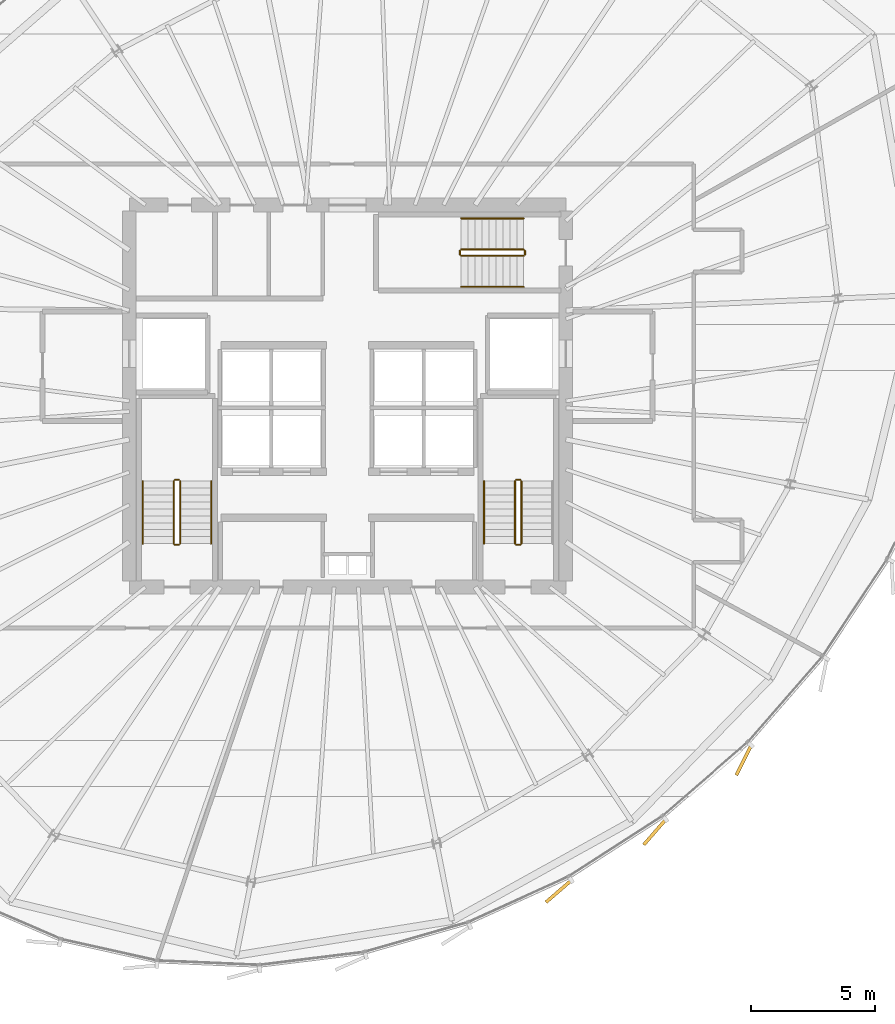
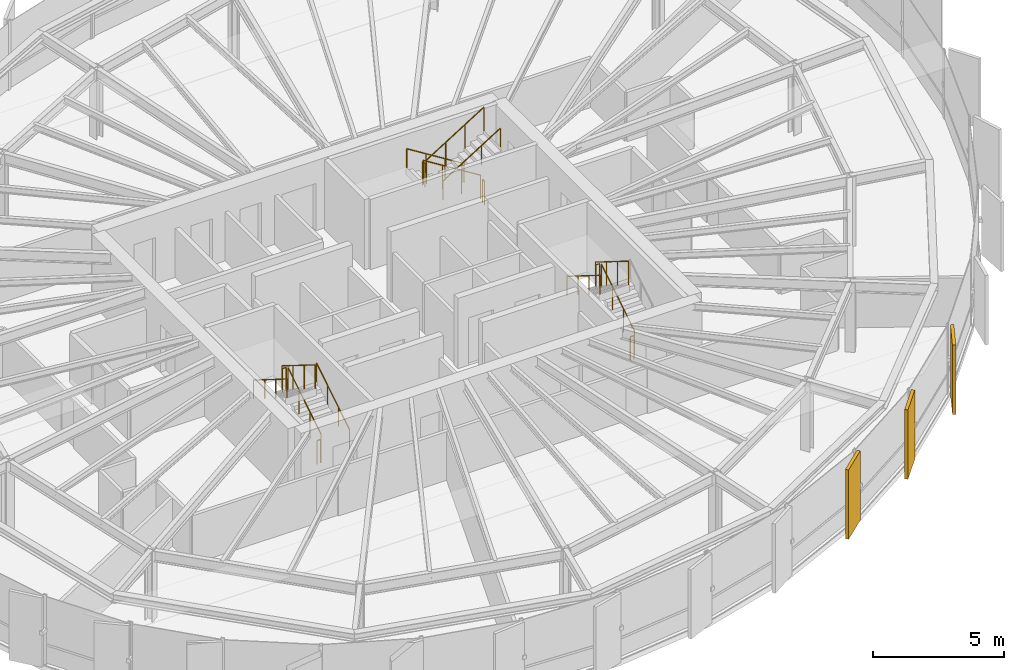
# One storey, part 33 of 34: 17 railings, 3 coverings.
"""IFC4 building model written with IfcOpenShell, lengths in metres."""

from ifc_helpers import new_model, si_unit, direction, frame, origin, origin_2d, place, context, subcontext, project, spatial, rectangle, circle, extrude, source, transform, mapped, material, layer, layer_set, type_object, element, save


model = new_model("IFC4")

# Units and contexts
model_context = context("Model", 3, precision=1e-05, world=origin(), true_north=direction((0.0, 1.0)))
body_context = subcontext(model_context, "Body", "Model", "MODEL_VIEW")
ifc_project = project(units=[si_unit("LENGTHUNIT", "METRE"), si_unit("AREAUNIT", "SQUARE_METRE"), si_unit("VOLUMEUNIT", "CUBIC_METRE"), si_unit("PLANEANGLEUNIT", "RADIAN"), si_unit("MASSUNIT", "GRAM", prefix="KILO"), si_unit("THERMODYNAMICTEMPERATUREUNIT", "KELVIN")], contexts=[model_context])

# Site, building, storey
site_placement = place(None, origin())
site = spatial("IfcSite", under=ifc_project, at=site_placement, CompositionType="ELEMENT")
building_placement = place(site_placement, origin())
building = spatial("IfcBuilding", under=site, at=building_placement, Name="Kethvar Cultural Tower", CompositionType="ELEMENT")
storey_placement = place(building_placement, frame((0.0, 0.0, 183.39990234375)))
storey = spatial("IfcBuildingStorey", under=building, at=storey_placement, Name="L47", CompositionType="ELEMENT", Elevation=183.39990234375)

# Railings
ifc_material_1 = material(Name="Steel S355J2", Category="steel")
railing_type_1 = type_object("IfcRailingType", Name="RL-STAIR-GUARD", PredefinedType="BALUSTRADE", material=ifc_material_1)
railing_1_placement = place(storey_placement, frame((40.050048828125, 21.85009765625, 0.175048828125)))
element("IfcRailing", 1, at=railing_1_placement, inside=storey, type_object=railing_type_1, Name="L47 ST-01 stair guard 1", PredefinedType="BALUSTRADE", context=body_context, shape_type="SweptSolid", body=[
    extrude(circle(Radius=0.02392578125, at=origin_2d()), frame((0.0, 0.0, 1.09619140625), z_axis=(0.0, 0.848007534815, 0.529984170421), x_axis=(-1.0, 0.0, 0.0)), (0.0, 0.0, 1.0), 2.9716796875),
    extrude(circle(Radius=0.02099609375, at=origin_2d()), origin(), (0.0, 0.0, 1.0), 1.072021484375),
    extrude(circle(Radius=0.02099609375, at=origin_2d()), frame((0.0, 0.840087890625, 0.52490234375)), (0.0, 0.0, 1.0), 1.072021484375),
    extrude(circle(Radius=0.02099609375, at=origin_2d()), frame((0.0, 1.679931640625, 1.050048828125)), (0.0, 0.0, 1.0), 1.072021484375),
    extrude(circle(Radius=0.02099609375, at=origin_2d()), frame((0.0, 2.52001953125, 1.574951171875)), (0.0, 0.0, 1.0), 1.072021484375),
])
railing_2_placement = place(storey_placement, frame((40.0, 24.419921875, 1.75)))
element("IfcRailing", 2, at=railing_2_placement, inside=storey, type_object=railing_type_1, Name="L47 ST-01 stair guard 2", PredefinedType="BALUSTRADE", context=body_context, shape_type="SweptSolid", body=[
    extrude(circle(Radius=0.02392578125, at=origin_2d()), frame((0.0, 0.0, 1.09619140625), z_axis=(-1.0, 0.0, 0.0), x_axis=(0.0, -1.0, 0.0)), (0.0, 0.0, 1.0), 0.159912109375),
    extrude(circle(Radius=0.02099609375, at=origin_2d()), origin(), (0.0, 0.0, 1.0), 1.072021484375),
    extrude(circle(Radius=0.02099609375, at=origin_2d()), frame((-0.159912109375, 0.0, 0.0)), (0.0, 0.0, 1.0), 1.072021484375),
])
railing_3_placement = place(storey_placement, frame((39.7900390625, 24.3701171875, 1.925048828125)))
element("IfcRailing", 3, at=railing_3_placement, inside=storey, type_object=railing_type_1, Name="L47 ST-01 stair guard 3", PredefinedType="BALUSTRADE", context=body_context, shape_type="SweptSolid", body=[
    extrude(circle(Radius=0.02392578125, at=origin_2d()), frame((0.0, 0.0, 1.09619140625), z_axis=(0.0, -0.848007534815, 0.529984170421), x_axis=(1.0, 0.0, 0.0)), (0.0, 0.0, 1.0), 2.9716796875),
    extrude(circle(Radius=0.02099609375, at=origin_2d()), origin(), (0.0, 0.0, 1.0), 1.072021484375),
    extrude(circle(Radius=0.02099609375, at=origin_2d()), frame((0.0, -0.840087890625, 0.52490234375)), (0.0, 0.0, 1.0), 1.072021484375),
    extrude(circle(Radius=0.02099609375, at=origin_2d()), frame((0.0, -1.679931640625, 1.050048828125)), (0.0, 0.0, 1.0), 1.072021484375),
    extrude(circle(Radius=0.02099609375, at=origin_2d()), frame((0.0, -2.52001953125, 1.574951171875)), (0.0, 0.0, 1.0), 1.072021484375),
])
railing_4_placement = place(storey_placement, frame((40.0, 21.800048828125, 0.0)))
element("IfcRailing", 4, at=railing_4_placement, inside=storey, type_object=railing_type_1, Name="L47 ST-01 stair guard 4", PredefinedType="BALUSTRADE", context=body_context, shape_type="SweptSolid", body=[
    extrude(circle(Radius=0.02392578125, at=origin_2d()), frame((0.0, 0.0, 1.09619140625), z_axis=(-1.0, 0.0, 0.0), x_axis=(0.0, -1.0, 0.0)), (0.0, 0.0, 1.0), 0.159912109375),
    extrude(circle(Radius=0.02099609375, at=origin_2d()), origin(), (0.0, 0.0, 1.0), 1.072021484375),
    extrude(circle(Radius=0.02099609375, at=origin_2d()), frame((-0.159912109375, 0.0, 0.0)), (0.0, 0.0, 1.0), 1.072021484375),
])
railing_5_placement = place(storey_placement, frame((53.81005859375, 21.85009765625, 0.175048828125)))
element("IfcRailing", 5, at=railing_5_placement, inside=storey, type_object=railing_type_1, Name="L47 ST-02 stair guard 1", PredefinedType="BALUSTRADE", context=body_context, shape_type="SweptSolid", body=[
    extrude(circle(Radius=0.02392578125, at=origin_2d()), frame((0.0, 0.0, 1.09619140625), z_axis=(0.0, 0.848007534815, 0.529984170421), x_axis=(-1.0, 0.0, 0.0)), (0.0, 0.0, 1.0), 2.9716796875),
    extrude(circle(Radius=0.02099609375, at=origin_2d()), origin(), (0.0, 0.0, 1.0), 1.072021484375),
    extrude(circle(Radius=0.02099609375, at=origin_2d()), frame((0.0, 0.840087890625, 0.52490234375)), (0.0, 0.0, 1.0), 1.072021484375),
    extrude(circle(Radius=0.02099609375, at=origin_2d()), frame((0.0, 1.679931640625, 1.050048828125)), (0.0, 0.0, 1.0), 1.072021484375),
    extrude(circle(Radius=0.02099609375, at=origin_2d()), frame((0.0, 2.52001953125, 1.574951171875)), (0.0, 0.0, 1.0), 1.072021484375),
])
railing_6_placement = place(storey_placement, frame((53.760009765625, 24.419921875, 1.75)))
element("IfcRailing", 6, at=railing_6_placement, inside=storey, type_object=railing_type_1, Name="L47 ST-02 stair guard 2", PredefinedType="BALUSTRADE", context=body_context, shape_type="SweptSolid", body=[
    extrude(circle(Radius=0.02392578125, at=origin_2d()), frame((0.0, 0.0, 1.09619140625), z_axis=(-1.0, 0.0, 0.0), x_axis=(0.0, -1.0, 0.0)), (0.0, 0.0, 1.0), 0.159912109375),
    extrude(circle(Radius=0.02099609375, at=origin_2d()), origin(), (0.0, 0.0, 1.0), 1.072021484375),
    extrude(circle(Radius=0.02099609375, at=origin_2d()), frame((-0.159912109375, 0.0, 0.0)), (0.0, 0.0, 1.0), 1.072021484375),
])
railing_7_placement = place(storey_placement, frame((53.550048828125, 24.3701171875, 1.925048828125)))
element("IfcRailing", 7, at=railing_7_placement, inside=storey, type_object=railing_type_1, Name="L47 ST-02 stair guard 3", PredefinedType="BALUSTRADE", context=body_context, shape_type="SweptSolid", body=[
    extrude(circle(Radius=0.02392578125, at=origin_2d()), frame((0.0, 0.0, 1.09619140625), z_axis=(0.0, -0.848007534815, 0.529984170421), x_axis=(1.0, 0.0, 0.0)), (0.0, 0.0, 1.0), 2.9716796875),
    extrude(circle(Radius=0.02099609375, at=origin_2d()), origin(), (0.0, 0.0, 1.0), 1.072021484375),
    extrude(circle(Radius=0.02099609375, at=origin_2d()), frame((0.0, -0.840087890625, 0.52490234375)), (0.0, 0.0, 1.0), 1.072021484375),
    extrude(circle(Radius=0.02099609375, at=origin_2d()), frame((0.0, -1.679931640625, 1.050048828125)), (0.0, 0.0, 1.0), 1.072021484375),
    extrude(circle(Radius=0.02099609375, at=origin_2d()), frame((0.0, -2.52001953125, 1.574951171875)), (0.0, 0.0, 1.0), 1.072021484375),
])
railing_8_placement = place(storey_placement, frame((53.760009765625, 21.800048828125, 0.0)))
element("IfcRailing", 8, at=railing_8_placement, inside=storey, type_object=railing_type_1, Name="L47 ST-02 stair guard 4", PredefinedType="BALUSTRADE", context=body_context, shape_type="SweptSolid", body=[
    extrude(circle(Radius=0.02392578125, at=origin_2d()), frame((0.0, 0.0, 1.09619140625), z_axis=(-1.0, 0.0, 0.0), x_axis=(0.0, -1.0, 0.0)), (0.0, 0.0, 1.0), 0.159912109375),
    extrude(circle(Radius=0.02099609375, at=origin_2d()), origin(), (0.0, 0.0, 1.0), 1.072021484375),
    extrude(circle(Radius=0.02099609375, at=origin_2d()), frame((-0.159912109375, 0.0, 0.0)), (0.0, 0.0, 1.0), 1.072021484375),
])
railing_9_placement = place(storey_placement, frame((53.89990234375, 33.7099609375, 0.175048828125)))
element("IfcRailing", 9, at=railing_9_placement, inside=storey, type_object=railing_type_1, Name="L47 ST-03 stair guard 1", PredefinedType="BALUSTRADE", context=body_context, shape_type="SweptSolid", body=[
    extrude(circle(Radius=0.02392578125, at=origin_2d()), frame((0.0, 0.0, 1.09619140625), z_axis=(-0.848007534815, 0.0, 0.529984170421), x_axis=(0.0, -1.0, 0.0)), (0.0, 0.0, 1.0), 2.9716796875),
    extrude(circle(Radius=0.02099609375, at=origin_2d()), origin(), (0.0, 0.0, 1.0), 1.072021484375),
    extrude(circle(Radius=0.02099609375, at=origin_2d()), frame((-0.840087890625, 0.0, 0.52490234375)), (0.0, 0.0, 1.0), 1.072021484375),
    extrude(circle(Radius=0.02099609375, at=origin_2d()), frame((-1.679931640625, 0.0, 1.050048828125)), (0.0, 0.0, 1.0), 1.072021484375),
    extrude(circle(Radius=0.02099609375, at=origin_2d()), frame((-2.52001953125, 0.0, 1.574951171875)), (0.0, 0.0, 1.0), 1.072021484375),
])
railing_10_placement = place(storey_placement, frame((51.330078125, 33.659912109375, 1.75)))
element("IfcRailing", 10, at=railing_10_placement, inside=storey, type_object=railing_type_1, Name="L47 ST-03 stair guard 2", PredefinedType="BALUSTRADE", context=body_context, shape_type="SweptSolid", body=[
    extrude(circle(Radius=0.02392578125, at=origin_2d()), frame((0.0, 0.0, 1.09619140625), z_axis=(0.0, -1.0, 0.0), x_axis=(1.0, 0.0, 0.0)), (0.0, 0.0, 1.0), 0.159912109375),
    extrude(circle(Radius=0.02099609375, at=origin_2d()), origin(), (0.0, 0.0, 1.0), 1.072021484375),
    extrude(circle(Radius=0.02099609375, at=origin_2d()), frame((0.0, -0.159912109375, 0.0)), (0.0, 0.0, 1.0), 1.072021484375),
])
railing_11_placement = place(storey_placement, frame((51.3798828125, 33.449951171875, 1.925048828125)))
element("IfcRailing", 11, at=railing_11_placement, inside=storey, type_object=railing_type_1, Name="L47 ST-03 stair guard 3", PredefinedType="BALUSTRADE", context=body_context, shape_type="SweptSolid", body=[
    extrude(circle(Radius=0.02392578125, at=origin_2d()), frame((0.0, 0.0, 1.09619140625), z_axis=(0.848007534815, 0.0, 0.529984170421), x_axis=(0.0, 1.0, 0.0)), (0.0, 0.0, 1.0), 2.9716796875),
    extrude(circle(Radius=0.02099609375, at=origin_2d()), origin(), (0.0, 0.0, 1.0), 1.072021484375),
    extrude(circle(Radius=0.02099609375, at=origin_2d()), frame((0.840087890625, 0.0, 0.52490234375)), (0.0, 0.0, 1.0), 1.072021484375),
    extrude(circle(Radius=0.02099609375, at=origin_2d()), frame((1.679931640625, 0.0, 1.050048828125)), (0.0, 0.0, 1.0), 1.072021484375),
    extrude(circle(Radius=0.02099609375, at=origin_2d()), frame((2.52001953125, 0.0, 1.574951171875)), (0.0, 0.0, 1.0), 1.072021484375),
])
railing_12_placement = place(storey_placement, frame((53.949951171875, 33.659912109375, 0.0)))
element("IfcRailing", 12, at=railing_12_placement, inside=storey, type_object=railing_type_1, Name="L47 ST-03 stair guard 4", PredefinedType="BALUSTRADE", context=body_context, shape_type="SweptSolid", body=[
    extrude(circle(Radius=0.02392578125, at=origin_2d()), frame((0.0, 0.0, 1.09619140625), z_axis=(0.0, -1.0, 0.0), x_axis=(1.0, 0.0, 0.0)), (0.0, 0.0, 1.0), 0.159912109375),
    extrude(circle(Radius=0.02099609375, at=origin_2d()), origin(), (0.0, 0.0, 1.0), 1.072021484375),
    extrude(circle(Radius=0.02099609375, at=origin_2d()), frame((0.0, -0.159912109375, 0.0)), (0.0, 0.0, 1.0), 1.072021484375),
])
railing_type_2 = type_object("IfcRailingType", Name="RL-STAIR-HANDRAIL", PredefinedType="HANDRAIL", material=ifc_material_1)
railing_13_placement = place(storey_placement, frame((41.300048828125, 21.85009765625, 0.175048828125)))
element("IfcRailing", 13, at=railing_13_placement, inside=storey, type_object=railing_type_2, Name="L47 ST-01 stair handrail 1", PredefinedType="HANDRAIL", context=body_context, shape_type="SweptSolid", body=[
    extrude(circle(Radius=0.02392578125, at=origin_2d()), frame((0.0, 0.0, 0.8759765625), z_axis=(0.0, 0.848007534815, 0.529984170421), x_axis=(-1.0, 0.0, 0.0)), (0.0, 0.0, 1.0), 2.9716796875),
    extrude(circle(Radius=0.02099609375, at=origin_2d()), origin(), (0.0, 0.0, 1.0), 0.851806640625),
    extrude(circle(Radius=0.02099609375, at=origin_2d()), frame((0.0, 0.840087890625, 0.52490234375)), (0.0, 0.0, 1.0), 0.851806640625),
    extrude(circle(Radius=0.02099609375, at=origin_2d()), frame((0.0, 1.679931640625, 1.050048828125)), (0.0, 0.0, 1.0), 0.851806640625),
    extrude(circle(Radius=0.02099609375, at=origin_2d()), frame((0.0, 2.52001953125, 1.574951171875)), (0.0, 0.0, 1.0), 0.851806640625),
])
for number, where, name in (
    (14, (38.5400390625, 24.3701171875, 1.925048828125), "L47 ST-01 stair handrail 2"),
    (15, (52.300048828125, 24.3701171875, 1.925048828125), "L47 ST-02 stair handrail 2"),
):
    element("IfcRailing", number, at=place(storey_placement, frame(where)), inside=storey, type_object=railing_type_2, Name=name, PredefinedType="HANDRAIL", context=body_context, shape_type="SweptSolid", body=[
        extrude(circle(Radius=0.02392578125, at=origin_2d()), frame((0.0, 0.0, 0.8759765625), z_axis=(0.0, -0.848007534815, 0.529984170421), x_axis=(1.0, 0.0, 0.0)), (0.0, 0.0, 1.0), 2.9716796875),
        extrude(circle(Radius=0.02099609375, at=origin_2d()), origin(), (0.0, 0.0, 1.0), 0.851806640625),
        extrude(circle(Radius=0.02099609375, at=origin_2d()), frame((0.0, -0.840087890625, 0.52490234375)), (0.0, 0.0, 1.0), 0.851806640625),
        extrude(circle(Radius=0.02099609375, at=origin_2d()), frame((0.0, -1.679931640625, 1.050048828125)), (0.0, 0.0, 1.0), 0.851806640625),
        extrude(circle(Radius=0.02099609375, at=origin_2d()), frame((0.0, -2.52001953125, 1.574951171875)), (0.0, 0.0, 1.0), 0.851806640625),
    ])
railing_14_placement = place(storey_placement, frame((53.89990234375, 34.9599609375, 0.175048828125)))
element("IfcRailing", 16, at=railing_14_placement, inside=storey, type_object=railing_type_2, Name="L47 ST-03 stair handrail 1", PredefinedType="HANDRAIL", context=body_context, shape_type="SweptSolid", body=[
    extrude(circle(Radius=0.02392578125, at=origin_2d()), frame((0.0, 0.0, 0.8759765625), z_axis=(-0.848007534815, 0.0, 0.529984170421), x_axis=(0.0, -1.0, 0.0)), (0.0, 0.0, 1.0), 2.9716796875),
    extrude(circle(Radius=0.02099609375, at=origin_2d()), origin(), (0.0, 0.0, 1.0), 0.851806640625),
    extrude(circle(Radius=0.02099609375, at=origin_2d()), frame((-0.840087890625, 0.0, 0.52490234375)), (0.0, 0.0, 1.0), 0.851806640625),
    extrude(circle(Radius=0.02099609375, at=origin_2d()), frame((-1.679931640625, 0.0, 1.050048828125)), (0.0, 0.0, 1.0), 0.851806640625),
    extrude(circle(Radius=0.02099609375, at=origin_2d()), frame((-2.52001953125, 0.0, 1.574951171875)), (0.0, 0.0, 1.0), 0.851806640625),
])
railing_15_placement = place(storey_placement, frame((51.3798828125, 32.199951171875, 1.925048828125)))
element("IfcRailing", 17, at=railing_15_placement, inside=storey, type_object=railing_type_2, Name="L47 ST-03 stair handrail 2", PredefinedType="HANDRAIL", context=body_context, shape_type="SweptSolid", body=[
    extrude(circle(Radius=0.02392578125, at=origin_2d()), frame((0.0, 0.0, 0.8759765625), z_axis=(0.848007534815, 0.0, 0.529984170421), x_axis=(0.0, 1.0, 0.0)), (0.0, 0.0, 1.0), 2.9716796875),
    extrude(circle(Radius=0.02099609375, at=origin_2d()), origin(), (0.0, 0.0, 1.0), 0.851806640625),
    extrude(circle(Radius=0.02099609375, at=origin_2d()), frame((0.840087890625, 0.0, 0.52490234375)), (0.0, 0.0, 1.0), 0.851806640625),
    extrude(circle(Radius=0.02099609375, at=origin_2d()), frame((1.679931640625, 0.0, 1.050048828125)), (0.0, 0.0, 1.0), 0.851806640625),
    extrude(circle(Radius=0.02099609375, at=origin_2d()), frame((2.52001953125, 0.0, 1.574951171875)), (0.0, 0.0, 1.0), 0.851806640625),
])

# Coverings
ifc_material_2 = material(Name="Extruded Architectural Terracotta", Category="masonry")
ifc_layer = layer(ifc_material_2, 0.135009765625, Name="Extruded Architectural Terracotta", Category="masonry")
ifc_layer_set = layer_set([ifc_layer], Name="Extruded Architectural Terracotta (135 mm)")
covering_type = type_object("IfcCoveringType", Name="Terracotta Facade Fin FIN-03", PredefinedType="CLADDING", material=ifc_layer_set)
shared_shape = source(origin(), body_context, "Body", "SweptSolid", [
    extrude(rectangle(XDim=1.35009765625, YDim=0.135009765625, at=origin_2d()), origin(), (0.0, 0.0, 1.0), 3.219970703125),
])
for number, where, z_axis, x_axis, name in (
    (18, (55.308349609375, 7.8310546875, 0.02001953125), (0.0, 0.0, 1.0), (-0.756995055652, -0.65342060399, 0.0), "L47 Vertical Terracotta Fin 5.3"),
    (19, (59.183349609375, 10.217041015625, 0.02001953125), (0.0, 0.0, 1.0), (-0.656454104053, -0.75436596508, 0.0), "L47 Vertical Terracotta Fin 5.4"),
    (20, (62.769287109375, 13.1162109375, 0.02001953125), (0.0, 0.0, 1.0), (-0.448695198283, -0.89368485443, 0.0), "L47 Vertical Terracotta Fin 5.5"),
):
    element("IfcCovering", number, at=place(storey_placement, frame(where, z_axis=z_axis, x_axis=x_axis)), inside=storey, type_object=covering_type, Name=name, PredefinedType="CLADDING", context=body_context, shape_type="MappedRepresentation", body=[
        mapped(shared_shape, transform((0.0, 0.0, 0.0), scale=1.0)),
    ])

save(model, "model.ifc")
